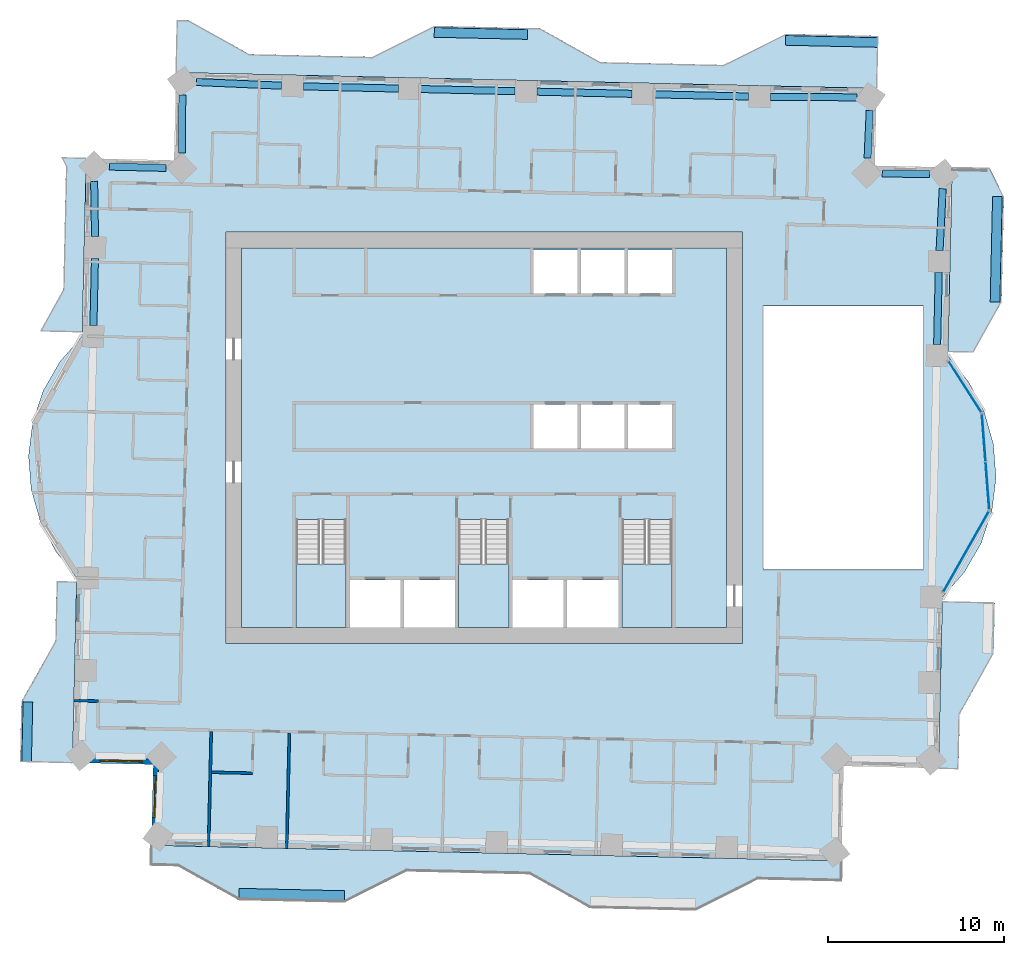
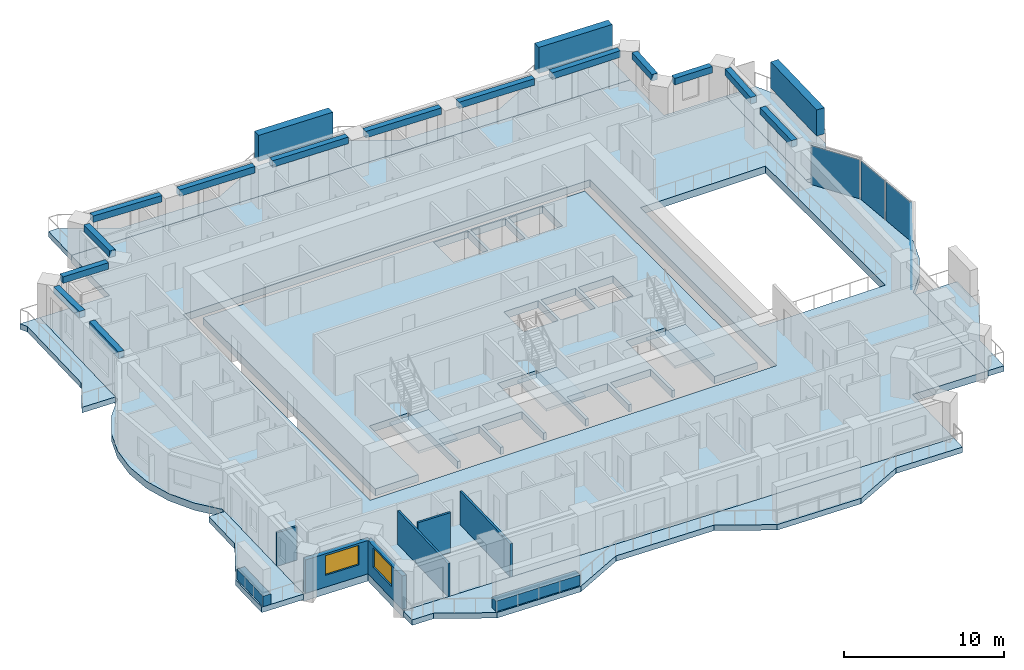
# One storey, part 3 of 14: 14 beams, 11 slabs, 8 walls, 4 plates, 3 members, 2 windows, 2 openings, 6 elements without a shape of their own.
"""IFC4 building model written with IfcOpenShell, lengths in metres."""

from ifc_helpers import new_model, si_unit, direction, frame, frame_2d, origin, origin_2d, place, context, subcontext, project, spatial, polyline, rectangle, outline, extrude, material, layer, layer_set, material_profile, profile_set, type_object, element, fill, aggregate, save


model = new_model("IFC4")

# Units and contexts
model_context = context("Model", 3, precision=1e-05, world=origin(), true_north=direction((0.0, 1.0)))
body_context = subcontext(model_context, "Body", "Model", "MODEL_VIEW")
ifc_project = project(units=[si_unit("LENGTHUNIT", "METRE"), si_unit("AREAUNIT", "SQUARE_METRE"), si_unit("VOLUMEUNIT", "CUBIC_METRE"), si_unit("PLANEANGLEUNIT", "RADIAN"), si_unit("MASSUNIT", "GRAM", prefix="KILO")], contexts=[model_context])

# Site, building, storey
site_placement = place(None, origin())
site = spatial("IfcSite", under=ifc_project, at=site_placement, CompositionType="ELEMENT")
building_placement = place(site_placement, origin())
building = spatial("IfcBuilding", under=site, at=building_placement, Name="Mangrove Gate Tower", CompositionType="ELEMENT")
storey_placement = place(building_placement, frame((0.0, 0.0, 163.5)))
storey = spatial("IfcBuildingStorey", under=building, at=storey_placement, Name="L41", CompositionType="ELEMENT", Elevation=163.5)

# Members
ifc_material_1 = material(Name="Planting on aluminium trellis", Category="aluminium")
ifc_material_profile_1 = material_profile(ifc_material_1, rectangle(XDim=0.550048828125, YDim=2.0, at=origin_2d()))
ifc_profile_set_1 = profile_set([ifc_material_profile_1], Name="Planting on aluminium trellis")
member_type = type_object("IfcMemberType", Name="Balcony greenery screen 550x2000", PredefinedType="USERDEFINED", material=ifc_profile_set_1)
member_1_placement = place(storey_placement, frame((29.074951171875, 7.72900390625, 1.800048828125), z_axis=(0.022665943652, 0.999743094499, 0.0), x_axis=(-0.999743094499, 0.022665943652, 0.0)))
element("IfcMember", 1, at=member_1_placement, inside=storey, type_object=member_type, Name="GREEN SCREEN L41 E1.1", ObjectType="PLANTING", PredefinedType="USERDEFINED", context=body_context, shape_type="SweptSolid", body=[
    extrude(rectangle(XDim=0.550048828125, YDim=2.0, at=origin_2d()), origin(), (0.0, 0.0, 1.0), 5.99951171875),
])
member_2_placement = place(storey_placement, frame((17.155029296875, 22.617919921875, 1.800048828125), z_axis=(0.999742580615, -0.022688598572, 0.0), x_axis=(0.022688598572, 0.999742580615, 0.0)))
element("IfcMember", 2, at=member_2_placement, inside=storey, type_object=member_type, Name="GREEN SCREEN L41 N0.1", ObjectType="PLANTING", PredefinedType="USERDEFINED", context=body_context, shape_type="SweptSolid", body=[
    extrude(rectangle(XDim=0.550048828125, YDim=2.0, at=origin_2d()), origin(), (0.0, 0.0, 1.0), 5.240478515625),
])
member_3_placement = place(storey_placement, frame((-2.840087890625, 23.072021484375, 1.800048828125), z_axis=(0.999743189186, -0.022661766832, 0.0), x_axis=(0.022661766832, 0.999743189186, 0.0)))
element("IfcMember", 3, at=member_3_placement, inside=storey, type_object=member_type, Name="GREEN SCREEN L41 N1.1", ObjectType="PLANTING", PredefinedType="USERDEFINED", context=body_context, shape_type="SweptSolid", body=[
    extrude(rectangle(XDim=0.550048828125, YDim=2.0, at=origin_2d()), origin(), (0.0, 0.0, 1.0), 5.300537109375),
])

# Beams
ifc_material_2 = material(Name="Concrete C50/60", Category="concrete")
ifc_material_profile_2 = material_profile(ifc_material_2, rectangle(XDim=0.39990234375, YDim=0.5, at=origin_2d()))
ifc_profile_set_2 = profile_set([ifc_material_profile_2], Name="Concrete C50/60")
beam_type = type_object("IfcBeamType", Name="Edge beam RC 400x500 C50/60", PredefinedType="BEAM", material=ifc_profile_set_2)
beam_1_placement = place(storey_placement, frame((25.779296875, 5.303955078125, 2.800048828125), z_axis=(0.022564934913, 0.99974537944, 0.0), x_axis=(-0.99974537944, 0.022564934913, 0.0)))
element("IfcBeam", 4, at=beam_1_placement, inside=storey, type_object=beam_type, Name="Edge beam L41 15", PredefinedType="BEAM", context=body_context, shape_type="SweptSolid", body=[
    extrude(rectangle(XDim=0.39990234375, YDim=0.5, at=origin_2d()), origin(), (0.0, 0.0, 1.0), 4.111328125),
])
beam_2_placement = place(storey_placement, frame((25.918212890625, 10.66357421875, 2.800048828125), z_axis=(0.051264492748, 0.998685111426, 0.0), x_axis=(-0.998685111426, 0.051264492748, 0.0)))
element("IfcBeam", 5, at=beam_2_placement, inside=storey, type_object=beam_type, Name="Edge beam L41 16", PredefinedType="BEAM", context=body_context, shape_type="SweptSolid", body=[
    extrude(rectangle(XDim=0.39990234375, YDim=0.5, at=origin_2d()), origin(), (0.0, 0.0, 1.0), 3.5146484375),
])
beam_3_placement = place(storey_placement, frame((25.33935546875, 15.010498046875, 2.800048828125), z_axis=(-0.999924520308, 0.012286321129, 0.0), x_axis=(-0.012286321129, -0.999924520308, 0.0)))
element("IfcBeam", 6, at=beam_3_placement, inside=storey, type_object=beam_type, Name="Edge beam L41 17", PredefinedType="BEAM", context=body_context, shape_type="SweptSolid", body=[
    extrude(rectangle(XDim=0.39990234375, YDim=0.5, at=origin_2d()), origin(), (0.0, 0.0, 1.0), 2.6826171875),
])
beam_4_placement = place(storey_placement, frame((21.821044921875, 15.91796875, 2.800048828125), z_axis=(0.04517139191, 0.998979251713, 0.0), x_axis=(-0.998979251713, 0.04517139191, 0.0)))
element("IfcBeam", 7, at=beam_4_placement, inside=storey, type_object=beam_type, Name="Edge beam L41 18", PredefinedType="BEAM", context=body_context, shape_type="SweptSolid", body=[
    extrude(rectangle(XDim=0.39990234375, YDim=0.5, at=origin_2d()), origin(), (0.0, 0.0, 1.0), 2.718505859375),
])
beam_5_placement = place(storey_placement, frame((21.21923828125, 19.37646484375, 2.800048828125), z_axis=(-0.999980449933, 0.006252979488, 0.0), x_axis=(-0.006252979488, -0.999980449933, 0.0)))
element("IfcBeam", 8, at=beam_5_placement, inside=storey, type_object=beam_type, Name="Edge beam L41 19", PredefinedType="BEAM", context=body_context, shape_type="SweptSolid", body=[
    extrude(rectangle(XDim=0.39990234375, YDim=0.5, at=origin_2d()), origin(), (0.0, 0.0, 1.0), 4.91943359375),
])
beam_6_placement = place(storey_placement, frame((15.050048828125, 19.42529296875, 2.800048828125), z_axis=(-0.99974211572, 0.022709074303, 0.0), x_axis=(-0.022709074303, -0.99974211572, 0.0)))
element("IfcBeam", 9, at=beam_6_placement, inside=storey, type_object=beam_type, Name="Edge beam L41 20", PredefinedType="BEAM", context=body_context, shape_type="SweptSolid", body=[
    extrude(rectangle(XDim=0.39990234375, YDim=0.5, at=origin_2d()), origin(), (0.0, 0.0, 1.0), 5.39697265625),
])
for number, where, z_axis, x_axis, name in (
    (10, (8.405029296875, 19.576416015625, 2.800048828125), (-0.99974209239, 0.022710101379, 0.0), (-0.022710101379, -0.99974209239, 0.0), "Edge beam L41 21"),
    (11, (1.760009765625, 19.727294921875, 2.800048828125), (-0.999745164565, 0.022574453012, 0.0), (-0.022574453012, -0.999745164565, 0.0), "Edge beam L41 22"),
    (12, (-4.885009765625, 19.87744140625, 2.800048828125), (-0.99974209239, 0.022710101379, 0.0), (-0.022710101379, -0.99974209239, 0.0), "Edge beam L41 23"),
):
    element("IfcBeam", number, at=place(storey_placement, frame(where, z_axis=z_axis, x_axis=x_axis)), inside=storey, type_object=beam_type, Name=name, PredefinedType="BEAM", context=body_context, shape_type="SweptSolid", body=[
        extrude(rectangle(XDim=0.39990234375, YDim=0.5, at=origin_2d()), origin(), (0.0, 0.0, 1.0), 5.396728515625),
    ])
beam_7_placement = place(storey_placement, frame((-11.52978515625, 20.040771484375, 2.800048828125), z_axis=(-0.99908526165, 0.04276259995, 0.0), x_axis=(-0.04276259995, -0.99908526165, 0.0)))
element("IfcBeam", 13, at=beam_7_placement, inside=storey, type_object=beam_type, Name="Edge beam L41 24", PredefinedType="BEAM", context=body_context, shape_type="SweptSolid", body=[
    extrude(rectangle(XDim=0.39990234375, YDim=0.5, at=origin_2d()), origin(), (0.0, 0.0, 1.0), 4.852783203125),
])
beam_8_placement = place(storey_placement, frame((-17.1787109375, 19.5078125, 2.800048828125), z_axis=(-0.009256805477, -0.999957154858, 0.0), x_axis=(0.999957154858, -0.009256805477, 0.0)))
element("IfcBeam", 14, at=beam_8_placement, inside=storey, type_object=beam_type, Name="Edge beam L41 25", PredefinedType="BEAM", context=body_context, shape_type="SweptSolid", body=[
    extrude(rectangle(XDim=0.39990234375, YDim=0.5, at=origin_2d()), origin(), (0.0, 0.0, 1.0), 3.296875),
])
beam_9_placement = place(storey_placement, frame((-18.100341796875, 15.35986328125, 2.800048828125), z_axis=(-0.999728264074, 0.023310899004, 0.0), x_axis=(-0.023310899004, -0.999728264074, 0.0)))
element("IfcBeam", 15, at=beam_9_placement, inside=storey, type_object=beam_type, Name="Edge beam L41 26", PredefinedType="BEAM", context=body_context, shape_type="SweptSolid", body=[
    extrude(rectangle(XDim=0.39990234375, YDim=0.5, at=origin_2d()), origin(), (0.0, 0.0, 1.0), 3.236328125),
])
beam_10_placement = place(storey_placement, frame((-22.199462890625, 14.599609375, 2.800048828125), z_axis=(0.016224572201, -0.999868372966, 0.0), x_axis=(0.999868372966, 0.016224572201, 0.0)))
element("IfcBeam", 16, at=beam_10_placement, inside=storey, type_object=beam_type, Name="Edge beam L41 27", PredefinedType="BEAM", context=body_context, shape_type="SweptSolid", body=[
    extrude(rectangle(XDim=0.39990234375, YDim=0.5, at=origin_2d()), origin(), (0.0, 0.0, 1.0), 3.14501953125),
])
beam_11_placement = place(storey_placement, frame((-22.15234375, 10.205078125, 2.800048828125), z_axis=(-0.022733042384, -0.999741570999, 0.0), x_axis=(0.999741570999, -0.022733042384, 0.0)))
element("IfcBeam", 17, at=beam_11_placement, inside=storey, type_object=beam_type, Name="Edge beam L41 28", PredefinedType="BEAM", context=body_context, shape_type="SweptSolid", body=[
    extrude(rectangle(XDim=0.39990234375, YDim=0.5, at=origin_2d()), origin(), (0.0, 0.0, 1.0), 3.8125),
])

# Curtain wall, plate
ifc_material_3 = material(Name="Aluminium and glass curtain wall", Category="aluminium")
curtain_wall_type = type_object("IfcCurtainWallType", Name="Atrium garden-court glazing wall", PredefinedType="NOTDEFINED", material=ifc_material_3)
curtain_wall_1_placement = place(storey_placement, origin())
curtain_wall_1 = element("IfcCurtainWall", 18, at=curtain_wall_1_placement, inside=storey, type_object=curtain_wall_type, Name="Atrium garden-court glazing E1f1", PredefinedType="NOTDEFINED")
ifc_material_4 = material(Name="Laminated low-e glass", Category="glass")
ifc_layer_1 = layer(ifc_material_4, 0.031982421875)
ifc_layer_set_1 = layer_set([ifc_layer_1], Name="Atrium garden-court glazing panel 32")
plate_type = type_object("IfcPlateType", Name="Atrium garden-court glazing panel 32", PredefinedType="CURTAIN_PANEL", material=ifc_layer_set_1)
plate_1_placement = place(storey_placement, frame((27.4228515625, -6.48876953125, 0.0), z_axis=(0.0, 0.0, 1.0), x_axis=(0.492564461279, 0.870275962833, 0.0)))
plate_1 = element("IfcPlate", 19, at=plate_1_placement, type_object=plate_type, Name="CWA panel 1.1", PredefinedType="CURTAIN_PANEL", context=body_context, shape_type="SweptSolid", body=[
    extrude(rectangle(XDim=5.257568359375, YDim=0.031982421875, at=origin_2d()), origin(), (0.0, 0.0, 1.0), 2.97998046875),
])
aggregate(curtain_wall_1, [plate_1])

# Curtain wall, plates
curtain_wall_2_placement = place(storey_placement, origin())
curtain_wall_2 = element("IfcCurtainWall", 20, at=curtain_wall_2_placement, inside=storey, type_object=curtain_wall_type, Name="Atrium garden-court glazing E1f2", PredefinedType="NOTDEFINED")
plate_2_placement = place(storey_placement, frame((28.6435546875, -2.7333984375, 0.0), z_axis=(0.0, 0.0, 1.0), x_axis=(-0.077023348403, 0.997029289339, 0.0)))
plate_2 = element("IfcPlate", 21, at=plate_2_placement, type_object=plate_type, Name="CWA panel 1.1", PredefinedType="CURTAIN_PANEL", context=body_context, shape_type="SweptSolid", body=[
    extrude(rectangle(XDim=2.681640625, YDim=0.031982421875, at=origin_2d()), origin(), (0.0, 0.0, 1.0), 2.97998046875),
])
plate_3_placement = place(storey_placement, frame((28.431640625, 0.01025390625, 0.0), z_axis=(0.0, 0.0, 1.0), x_axis=(-0.077023348403, 0.997029289339, 0.0)))
plate_3 = element("IfcPlate", 22, at=plate_3_placement, type_object=plate_type, Name="CWA panel 2.1", PredefinedType="CURTAIN_PANEL", context=body_context, shape_type="SweptSolid", body=[
    extrude(rectangle(XDim=2.681640625, YDim=0.031982421875, at=origin_2d()), origin(), (0.0, 0.0, 1.0), 2.97998046875),
])
aggregate(curtain_wall_2, [plate_2, plate_3])

# Curtain wall, plate
curtain_wall_3_placement = place(storey_placement, origin())
curtain_wall_3 = element("IfcCurtainWall", 23, at=curtain_wall_3_placement, inside=storey, type_object=curtain_wall_type, Name="Atrium garden-court glazing E1f3", PredefinedType="NOTDEFINED")
plate_4_placement = place(storey_placement, frame((27.358642578125, 2.917724609375, 0.0), z_axis=(0.0, 0.0, 1.0), x_axis=(-0.540496322894, 0.841346376315, 0.0)))
plate_4 = element("IfcPlate", 24, at=plate_4_placement, type_object=plate_type, Name="CWA panel 1.1", PredefinedType="CURTAIN_PANEL", context=body_context, shape_type="SweptSolid", body=[
    extrude(rectangle(XDim=3.427978515625, YDim=0.031982421875, at=origin_2d()), origin(), (0.0, 0.0, 1.0), 2.97998046875),
])
aggregate(curtain_wall_3, [plate_4])

# Slabs
ifc_material_5 = material(Name="Porcelain tile")
ifc_layer_2 = layer(ifc_material_5, 0.02001953125, Name="Tile finish")
ifc_material_6 = material(Name="Cement sand screed")
ifc_layer_3 = layer(ifc_material_6, 0.0400390625, Name="Screed laid to falls")
ifc_material_7 = material(Name="Bituminous waterproofing membrane")
ifc_layer_4 = layer(ifc_material_7, 0.00390625, Name="Waterproofing")
ifc_material_8 = material(Name="Concrete C40/50", Category="concrete")
ifc_layer_5 = layer(ifc_material_8, 0.340087890625, Name="Balcony structural slab")
ifc_material_9 = material(Name="Limestone", Category="masonry")
ifc_layer_6 = layer(ifc_material_9, 0.01611328125, Name="Soffit lining")
ifc_layer_set_2 = layer_set([ifc_layer_2, ifc_layer_3, ifc_layer_4, ifc_layer_5, ifc_layer_6], Name="Balcony slab 420 C40/50")
slab_type_1 = type_object("IfcSlabType", Name="Balcony slab 420 C40/50", PredefinedType="FLOOR", material=ifc_layer_set_2)
slab_1_placement = place(storey_placement, frame((0.0, 0.0, -0.419921875)))
element("IfcSlab", 25, at=slab_1_placement, inside=storey, type_object=slab_type_1, Name="BALCONY L41 E0", PredefinedType="FLOOR", context=body_context, shape_type="SweptSolid", body=[
    extrude(outline(polyline([(26.9970703125, -18.8310546875), (27.06689453125, -15.73095703125), (28.99609375, -12.27392578125), (29.06103515625, -9.39990234375), (26.072021484375, -9.3330078125), (26.007080078125, -12.2060546875), (25.927001953125, -15.7060546875), (25.85693359375, -18.804931640625), (26.9970703125, -18.8310546875)])), origin(), (0.0, 0.0, 1.0), 0.419921875),
])
slab_2_placement = place(storey_placement, frame((0.0, 0.0, -0.419921875)))
element("IfcSlab", 26, at=slab_2_placement, inside=storey, type_object=slab_type_1, Name="BALCONY L41 E1", PredefinedType="FLOOR", context=body_context, shape_type="SweptSolid", body=[
    extrude(outline(polyline([(27.864990234375, 4.881103515625), (29.449951171875, 7.720947265625), (29.5859375, 13.718994140625), (28.777099609375, 15.337890625), (26.633056640625, 15.385986328125), (26.596923828125, 13.787109375), (26.4609375, 7.7880859375), (26.39501953125, 4.9140625), (27.864990234375, 4.881103515625)])), origin(), (0.0, 0.0, 1.0), 0.419921875),
])
slab_3_placement = place(storey_placement, frame((0.0, 0.0, -0.419921875)))
element("IfcSlab", 27, at=slab_3_placement, inside=storey, type_object=slab_type_1, Name="BALCONY L41 N0", PredefinedType="FLOOR", context=body_context, shape_type="SweptSolid", body=[
    extrude(outline(polyline([(22.402099609375, 22.8740234375), (17.1630859375, 22.992919921875), (13.6220703125, 21.222900390625), (6.6240234375, 21.382080078125), (3.1669921875, 23.31103515625), (2.467041015625, 23.326904296875), (-2.83203125, 23.447021484375), (-6.373046875, 21.677978515625), (-13.37109375, 21.8359375), (-16.827880859375, 23.764892578125), (-17.468017578125, 23.779052734375), (-17.535888671875, 20.7900390625), (22.333984375, 19.885009765625), (22.402099609375, 22.8740234375)])), origin(), (0.0, 0.0, 1.0), 0.419921875),
])
slab_4_placement = place(storey_placement, frame((0.0, 0.0, -0.419921875)))
element("IfcSlab", 28, at=slab_4_placement, inside=storey, type_object=slab_type_1, Name="BALCONY L41 W0", PredefinedType="FLOOR", context=body_context, shape_type="SweptSolid", body=[
    extrude(outline(polyline([(-24.052001953125, 15.93603515625), (-23.799072265625, 15.430908203125), (-23.9580078125, 8.431884765625), (-25.26708984375, 6.0869140625), (-22.8720703125, 6.032958984375), (-22.818115234375, 8.406982421875), (-22.658935546875, 15.405029296875), (-22.64794921875, 15.905029296875), (-24.052001953125, 15.93603515625)])), origin(), (0.0, 0.0, 1.0), 0.419921875),
])
slab_5_placement = place(storey_placement, frame((0.0, 0.0, -0.419921875)))
element("IfcSlab", 29, at=slab_5_placement, inside=storey, type_object=slab_type_1, Name="BALCONY L41 W1", PredefinedType="FLOOR", context=body_context, shape_type="SweptSolid", body=[
    extrude(outline(polyline([(-24.3349609375, -8.18896484375), (-24.412109375, -11.56201171875), (-26.341064453125, -15.02001953125), (-26.41796875, -18.4189453125), (-23.427978515625, -18.487060546875), (-23.35107421875, -15.0869140625), (-23.27197265625, -11.587890625), (-23.195068359375, -8.214111328125), (-24.3349609375, -8.18896484375)])), origin(), (0.0, 0.0, 1.0), 0.419921875),
])
slab_6_placement = place(storey_placement, frame((0.0, 0.0, -0.419921875)))
element("IfcSlab", 30, at=slab_6_placement, inside=storey, type_object=slab_type_1, Name="BALCONY L41 S0", PredefinedType="FLOOR", context=body_context, shape_type="SweptSolid", body=[
    extrude(outline(polyline([(-18.9599609375, -24.3291015625), (-17.419921875, -24.364013671875), (-13.962890625, -26.29296875), (-7.965087890625, -26.428955078125), (-4.424072265625, -24.658935546875), (2.574951171875, -24.818115234375), (6.031982421875, -26.7470703125), (12.030029296875, -26.883056640625), (15.571044921875, -25.114013671875), (20.31005859375, -25.220947265625), (20.3359375, -24.0810546875), (2.60009765625, -23.677978515625), (-4.39794921875, -23.52001953125), (-18.93408203125, -23.18994140625), (-18.9599609375, -24.3291015625)])), origin(), (0.0, 0.0, 1.0), 0.419921875),
])
ifc_material_10 = material(Name="Concrete C40/50", Category="concrete")
ifc_layer_7 = layer(ifc_material_10, 0.550048828125)
ifc_layer_set_3 = layer_set([ifc_layer_7], Name="Core floor slab 550 C40/50")
slab_type_2 = type_object("IfcSlabType", Name="Core floor slab 550 C40/50", PredefinedType="FLOOR", material=ifc_layer_set_3)
slab_7_placement = place(storey_placement, frame((0.0, 0.0, -0.550048828125)))
element("IfcSlab", 31, at=slab_7_placement, inside=storey, type_object=slab_type_2, Name="SLAB-L41-CORE-1", PredefinedType="FLOOR", context=body_context, shape_type="SweptSolid", body=[
    extrude(outline(polyline([(-13.800048828125, -10.800048828125), (-13.800048828125, 10.800048828125), (13.800048828125, 10.800048828125), (13.800048828125, -10.800048828125), (10.699951171875, -10.800048828125), (10.699951171875, -4.653076171875), (7.85009765625, -4.653076171875), (7.85009765625, -10.800048828125), (7.64990234375, -10.800048828125), (7.64990234375, -8.10009765625), (4.72509765625, -8.10009765625), (4.72509765625, -10.800048828125), (4.52490234375, -10.800048828125), (4.52490234375, -8.10009765625), (1.60009765625, -8.10009765625), (1.60009765625, -10.800048828125), (1.39990234375, -10.800048828125), (1.39990234375, -4.653076171875), (-1.449951171875, -4.653076171875), (-1.449951171875, -10.800048828125), (-1.64990234375, -10.800048828125), (-1.64990234375, -8.10009765625), (-4.550048828125, -8.10009765625), (-4.550048828125, -10.800048828125), (-4.75, -10.800048828125), (-4.75, -8.10009765625), (-7.64990234375, -8.10009765625), (-7.64990234375, -10.800048828125), (-7.85009765625, -10.800048828125), (-7.85009765625, -4.653076171875), (-10.699951171875, -4.653076171875), (-10.699951171875, -10.800048828125), (-13.800048828125, -10.800048828125)]), holes=[polyline([(5.300048828125, -0.60009765625), (5.300048828125, 1.89990234375), (2.800048828125, 1.89990234375), (2.800048828125, -0.60009765625), (5.300048828125, -0.60009765625)]), polyline([(5.300048828125, 10.699951171875), (2.800048828125, 10.699951171875), (2.800048828125, 8.199951171875), (5.300048828125, 8.199951171875), (5.300048828125, 10.699951171875)]), polyline([(8.0, -0.60009765625), (8.0, 1.89990234375), (5.5, 1.89990234375), (5.5, -0.60009765625), (8.0, -0.60009765625)]), polyline([(10.699951171875, -0.60009765625), (10.699951171875, 1.89990234375), (8.199951171875, 1.89990234375), (8.199951171875, -0.60009765625), (10.699951171875, -0.60009765625)]), polyline([(8.0, 8.199951171875), (8.0, 10.699951171875), (5.5, 10.699951171875), (5.5, 8.199951171875), (8.0, 8.199951171875)]), polyline([(10.699951171875, 8.199951171875), (10.699951171875, 10.699951171875), (8.199951171875, 10.699951171875), (8.199951171875, 8.199951171875), (10.699951171875, 8.199951171875)])]), origin(), (0.0, 0.0, 1.0), 0.550048828125),
])

# Stair, slab
ifc_material_11 = material(Name="Concrete C40/50", Category="concrete")
stair_type = type_object("IfcStairType", Name="Core stair 1350", PredefinedType="HALF_TURN_STAIR", material=ifc_material_11)
stair_1_placement = place(storey_placement, origin())
stair_1 = element("IfcStair", 32, at=stair_1_placement, inside=storey, type_object=stair_type, Name="L41 Stair 1", PredefinedType="HALF_TURN_STAIR")
ifc_material_12 = material(Name="Concrete C40/50", Category="concrete")
ifc_layer_8 = layer(ifc_material_12, 0.199951171875)
ifc_layer_set_4 = layer_set([ifc_layer_8], Name="Core stair landing 200")
slab_type_3 = type_object("IfcSlabType", Name="Core stair landing 200", PredefinedType="LANDING", material=ifc_layer_set_4)
slab_8_placement = place(storey_placement, frame((0.0, 0.0, 1.60009765625)))
slab_8 = element("IfcSlab", 33, at=slab_8_placement, type_object=slab_type_3, Name="ST1 landing 1", PredefinedType="LANDING", context=body_context, shape_type="SweptSolid", body=[
    extrude(outline(polyline([(-10.699951171875, -7.169921875), (-10.699951171875, -10.800048828125), (-7.85009765625, -10.800048828125), (-7.85009765625, -7.169921875), (-10.699951171875, -7.169921875)])), origin(), (0.0, 0.0, 1.0), 0.199951171875),
])
aggregate(stair_1, [slab_8])

stair_2_placement = place(storey_placement, origin())
stair_2 = element("IfcStair", 34, at=stair_2_placement, inside=storey, type_object=stair_type, Name="L41 Stair 2", PredefinedType="HALF_TURN_STAIR")
slab_9_placement = place(storey_placement, frame((0.0, 0.0, 1.60009765625)))
slab_9 = element("IfcSlab", 35, at=slab_9_placement, type_object=slab_type_3, Name="ST2 landing 1", PredefinedType="LANDING", context=body_context, shape_type="SweptSolid", body=[
    extrude(outline(polyline([(-1.449951171875, -7.169921875), (-1.449951171875, -10.800048828125), (1.39990234375, -10.800048828125), (1.39990234375, -7.169921875), (-1.449951171875, -7.169921875)])), origin(), (0.0, 0.0, 1.0), 0.199951171875),
])
aggregate(stair_2, [slab_9])

stair_3_placement = place(storey_placement, origin())
stair_3 = element("IfcStair", 36, at=stair_3_placement, inside=storey, type_object=stair_type, Name="L41 Stair 3", PredefinedType="HALF_TURN_STAIR")
slab_10_placement = place(storey_placement, frame((0.0, 0.0, 1.60009765625)))
slab_10 = element("IfcSlab", 37, at=slab_10_placement, type_object=slab_type_3, Name="ST3 landing 1", PredefinedType="LANDING", context=body_context, shape_type="SweptSolid", body=[
    extrude(outline(polyline([(7.85009765625, -7.169921875), (7.85009765625, -10.800048828125), (10.699951171875, -10.800048828125), (10.699951171875, -7.169921875), (7.85009765625, -7.169921875)])), origin(), (0.0, 0.0, 1.0), 0.199951171875),
])
aggregate(stair_3, [slab_10])

# Slab
ifc_material_13 = material(Name="Concrete C40/50", Category="concrete")
ifc_layer_9 = layer(ifc_material_13, 0.550048828125)
ifc_layer_set_5 = layer_set([ifc_layer_9], Name="Floor slab 550 C40/50")
slab_type_4 = type_object("IfcSlabType", Name="Floor slab 550 C40/50", PredefinedType="FLOOR", material=ifc_layer_set_5)
slab_11_placement = place(storey_placement, frame((0.0, 0.0, -0.550048828125)))
element("IfcSlab", 38, at=slab_11_placement, inside=storey, type_object=slab_type_4, Name="Floor slab L41", PredefinedType="FLOOR", context=body_context, shape_type="SweptSolid", body=[
    extrude(outline(polyline([(-18.93408203125, -23.189697265625), (20.3359375, -24.080810546875), (20.45849609375, -18.68212890625), (25.85693359375, -18.8046875), (26.07763671875, -9.08251953125), (27.340576171875, -7.64599609375), (28.293701171875, -5.98779296875), (28.899169921875, -4.17333984375), (29.1328125, -2.27490234375), (28.985595703125, -0.36767578125), (28.463134765625, 1.472412109375), (27.586181640625, 3.172119140625), (26.3896484375, 4.66455078125), (26.633056640625, 15.386474609375), (22.234130859375, 15.486328125), (22.333984375, 19.88525390625), (-17.535888671875, 20.789794921875), (-17.649169921875, 15.791259765625), (-22.64794921875, 15.904541015625), (-22.877685546875, 5.782470703125), (-24.140625, 4.345947265625), (-25.09375, 2.687744140625), (-25.69921875, 0.873291015625), (-25.932861328125, -1.025146484375), (-25.78564453125, -2.932373046875), (-25.26318359375, -4.772216796875), (-24.38623046875, -6.47216796875), (-23.189697265625, -7.964599609375), (-23.428466796875, -18.486572265625), (-18.82958984375, -18.5908203125), (-18.93408203125, -23.189697265625)]), holes=[polyline([(15.89990234375, 7.5), (24.964111328125, 7.5), (24.964111328125, -7.5), (15.89990234375, -7.5), (15.89990234375, 7.5)]), polyline([(-14.699951171875, -11.699951171875), (-14.699951171875, 11.699951171875), (14.699951171875, 11.699951171875), (14.699951171875, -11.699951171875), (-14.699951171875, -11.699951171875)])]), origin(), (0.0, 0.0, 1.0), 0.550048828125),
])

# Wall, opening, window
ifc_layer_10 = layer(ifc_material_9, 0.0400390625, Name="Limestone cladding")
ifc_material_14 = material(Name="Ventilated air gap")
ifc_layer_11 = layer(ifc_material_14, 0.0400390625, Name="Ventilated cavity")
ifc_material_15 = material(Name="Mineral wool insulation")
ifc_layer_12 = layer(ifc_material_15, 0.06005859375, Name="Insulation")
ifc_material_16 = material(Name="Breather membrane")
ifc_layer_13 = layer(ifc_material_16, 0.001953125, Name="Breather membrane")
ifc_material_17 = material(Name="Concrete C20/25 blockwork", Category="masonry")
ifc_layer_14 = layer(ifc_material_17, 0.14990234375, Name="Blockwork backing wall")
ifc_material_18 = material(Name="Gypsum plaster")
ifc_layer_15 = layer(ifc_material_18, 0.008056640625, Name="Internal plaster")
ifc_layer_set_6 = layer_set([ifc_layer_10, ifc_layer_11, ifc_layer_12, ifc_layer_13, ifc_layer_14, ifc_layer_15], Name="External wall 300 limestone cladding")
wall_type_1 = type_object("IfcWallType", Name="External wall 300 limestone cladding", PredefinedType="SOLIDWALL", material=ifc_layer_set_6)
wall_1_placement = place(storey_placement, frame((-23.27490234375, -18.340087890625, 0.0), z_axis=(0.0, 0.0, 1.0), x_axis=(0.999744377441, -0.022609285172, 0.0)))
wall_1 = element("IfcWall", 39, at=wall_1_placement, inside=storey, type_object=wall_type_1, Name="WALL-L41-S11", PredefinedType="SOLIDWALL", context=body_context, shape_type="SweptSolid", body=[
    extrude(rectangle(XDim=4.60009765625, YDim=0.300048828125, at=frame_2d((2.300048828125, 0.0))), origin(), (0.0, 0.0, 1.0), 2.550048828125),
])
opening_1_placement = place(wall_1_placement, frame((1.405029296875, 0.0, 0.89990234375)))
opening_1 = element("IfcOpeningElement", 40, at=opening_1_placement, cuts=wall_1, Name="Opening W2", PredefinedType="OPENING", context=body_context, shape_type="SweptSolid", body=[
    extrude(rectangle(XDim=2.39990234375, YDim=1.5, at=frame_2d((1.199951171875, 0.75))), frame((0.0, 0.159912109375, 0.0), z_axis=(0.0, -1.0, 0.0), x_axis=(1.0, 0.0, 0.0)), (0.0, 0.0, 1.0), 0.320068359375),
])
ifc_material_19 = material(Name="Aluminium frame with double-glazed low-e glass", Category="aluminium")
window_type = type_object("IfcWindowType", Name="Corner room window 2400x1500", PartitioningType="DOUBLE_PANEL_VERTICAL", PredefinedType="WINDOW", material=ifc_material_19)
window_1_placement = place(opening_1_placement, origin())
window_1 = element("IfcWindow", 41, at=window_1_placement, inside=storey, type_object=window_type, Name="WIN-L41-S11-1", OverallHeight=1.5, OverallWidth=2.39990234375, PartitioningType="DOUBLE_PANEL_VERTICAL", PredefinedType="WINDOW", context=body_context, shape_type="SweptSolid", body=[
    extrude(rectangle(XDim=2.39990234375, YDim=1.5, at=frame_2d((1.199951171875, 0.75))), frame((0.0, 0.030029296875, 0.0), z_axis=(0.0, -1.0, 0.0), x_axis=(1.0, 0.0, 0.0)), (0.0, 0.0, 1.0), 0.06005859375),
])
fill(opening_1, window_1)

wall_2_placement = place(storey_placement, frame((-18.676025390625, -18.444091796875, 0.0), z_axis=(0.0, 0.0, 1.0), x_axis=(-0.022821468877, -0.999739556364, 0.0)))
wall_2 = element("IfcWall", 42, at=wall_2_placement, inside=storey, type_object=wall_type_1, Name="WALL-L41-W12", PredefinedType="SOLIDWALL", context=body_context, shape_type="SweptSolid", body=[
    extrude(rectangle(XDim=4.60009765625, YDim=0.300048828125, at=frame_2d((2.300048828125, 0.0))), origin(), (0.0, 0.0, 1.0), 2.550048828125),
])
opening_2_placement = place(wall_2_placement, frame((0.780029296875, 0.0, 0.89990234375)))
opening_2 = element("IfcOpeningElement", 43, at=opening_2_placement, cuts=wall_2, Name="Opening W2", PredefinedType="OPENING", context=body_context, shape_type="SweptSolid", body=[
    extrude(rectangle(XDim=2.39990234375, YDim=1.5, at=frame_2d((1.199951171875, 0.75))), frame((0.0, 0.159912109375, 0.0), z_axis=(0.0, -1.0, 0.0), x_axis=(1.0, 0.0, 0.0)), (0.0, 0.0, 1.0), 0.320068359375),
])
window_2_placement = place(opening_2_placement, origin())
window_2 = element("IfcWindow", 44, at=window_2_placement, inside=storey, type_object=window_type, Name="WIN-L41-W12-1", OverallHeight=1.5, OverallWidth=2.39990234375, PartitioningType="DOUBLE_PANEL_VERTICAL", PredefinedType="WINDOW", context=body_context, shape_type="SweptSolid", body=[
    extrude(rectangle(XDim=2.39990234375, YDim=1.5, at=frame_2d((1.199951171875, 0.75))), frame((0.0, 0.030029296875, 0.0), z_axis=(0.0, -1.0, 0.0), x_axis=(1.0, 0.0, 0.0)), (0.0, 0.0, 1.0), 0.06005859375),
])
fill(opening_2, window_2)

# Walls
ifc_material_20 = material(Name="Gypsum board on steel stud, EI 60", Category="steel")
ifc_layer_16 = layer(ifc_material_20, 0.14990234375)
ifc_layer_set_7 = layer_set([ifc_layer_16], Name="Party wall 150 EI 60")
wall_type_2 = type_object("IfcWallType", Name="Party wall 150 EI 60", PredefinedType="PARTITIONING", material=ifc_layer_set_7)
wall_3_placement = place(storey_placement, frame((-15.68505859375, -23.262939453125, 0.0), z_axis=(0.0, 0.0, 1.0), x_axis=(0.022772202332, 0.999740679777, 0.0)))
element("IfcWall", 45, at=wall_3_placement, inside=storey, type_object=wall_type_2, Name="WALL-L41-001", PredefinedType="PARTITIONING", context=body_context, shape_type="SweptSolid", body=[
    extrude(rectangle(XDim=6.550537109375, YDim=0.14990234375, at=frame_2d((3.275390625, 0.0))), origin(), (0.0, 0.0, 1.0), 2.550048828125),
])
wall_4_placement = place(storey_placement, frame((-11.236083984375, -23.364013671875, 0.0), z_axis=(0.0, 0.0, 1.0), x_axis=(0.022771353855, 0.999740699103, 0.0)))
element("IfcWall", 46, at=wall_4_placement, inside=storey, type_object=wall_type_2, Name="WALL-L41-002", PredefinedType="PARTITIONING", context=body_context, shape_type="SweptSolid", body=[
    extrude(rectangle(XDim=6.55078125, YDim=0.14990234375, at=frame_2d((3.275390625, 0.0))), origin(), (0.0, 0.0, 1.0), 2.550048828125),
])
wall_5_placement = place(storey_placement, frame((-15.513916015625, -19.035888671875, 0.0), z_axis=(0.0, 0.0, 1.0), x_axis=(0.999738082346, -0.022885950011, 0.0)))
element("IfcWall", 47, at=wall_5_placement, inside=storey, type_object=wall_type_2, Name="WALL-L41-016", PredefinedType="PARTITIONING", context=body_context, shape_type="SweptSolid", body=[
    extrude(rectangle(XDim=2.325439453125, YDim=0.14990234375, at=frame_2d((1.16259765625, 0.0))), origin(), (0.0, 0.0, 1.0), 3.050048828125),
])
wall_6_placement = place(storey_placement, frame((-23.347900390625, -14.95703125, 0.0), z_axis=(0.0, 0.0, 1.0), x_axis=(0.999740216184, -0.022792545827, 0.0)))
element("IfcWall", 48, at=wall_6_placement, inside=storey, type_object=wall_type_2, Name="WALL-L41-030", PredefinedType="PARTITIONING", context=body_context, shape_type="SweptSolid", body=[
    extrude(rectangle(XDim=1.403076171875, YDim=0.14990234375, at=frame_2d((0.70166015625, 0.0))), origin(), (0.0, 0.0, 1.0), 2.550048828125),
])
ifc_material_21 = material(Name="Concrete C32/40", Category="concrete")
ifc_layer_17 = layer(ifc_material_21, 0.199951171875, Name="Planter trough wall")
ifc_layer_18 = layer(ifc_material_7, 0.0048828125, Name="Waterproofing")
ifc_material_22 = material(Name="Drainage board and gravel")
ifc_layer_19 = layer(ifc_material_22, 0.044921875, Name="Drainage layer")
ifc_material_23 = material(Name="Planting soil")
ifc_layer_20 = layer(ifc_material_23, 0.300048828125, Name="Growing medium")
ifc_layer_set_8 = layer_set([ifc_layer_17, ifc_layer_18, ifc_layer_19, ifc_layer_20], Name="Planter wall 550 C32/40")
wall_type_3 = type_object("IfcWallType", Name="Planter wall 550 C32/40", PredefinedType="USERDEFINED", material=ifc_layer_set_8)
wall_7_placement = place(storey_placement, frame((-26.04296875, -18.427001953125, 0.0), z_axis=(0.0, 0.0, 1.0), x_axis=(0.022620270121, 0.999744128955, 0.0)))
element("IfcWall", 49, at=wall_7_placement, inside=storey, type_object=wall_type_3, Name="PLANTER L41 W1.1", ObjectType="PLANTER", PredefinedType="USERDEFINED", context=body_context, shape_type="SweptSolid", body=[
    extrude(rectangle(XDim=3.39990234375, YDim=0.550048828125, at=frame_2d((1.699951171875, 0.0))), origin(), (0.0, 0.0, 1.0), 0.800048828125),
])
wall_8_placement = place(storey_placement, frame((-13.955078125, -25.91796875, 0.0), z_axis=(0.0, 0.0, 1.0), x_axis=(0.999743178102, -0.022662255828, 0.0)))
element("IfcWall", 50, at=wall_8_placement, inside=storey, type_object=wall_type_3, Name="PLANTER L41 S0.1", ObjectType="PLANTER", PredefinedType="USERDEFINED", context=body_context, shape_type="SweptSolid", body=[
    extrude(rectangle(XDim=6.00048828125, YDim=0.550048828125, at=frame_2d((3.000244140625, 0.0))), origin(), (0.0, 0.0, 1.0), 0.800048828125),
])

save(model, "model.ifc")
